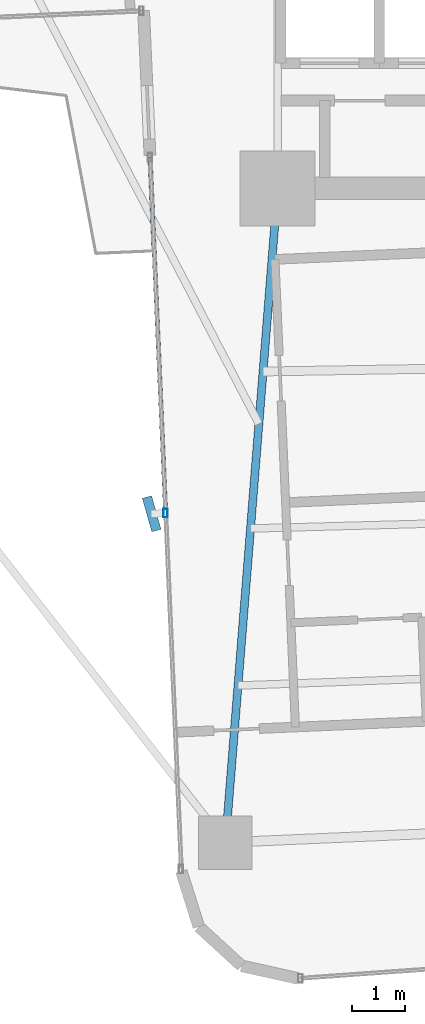
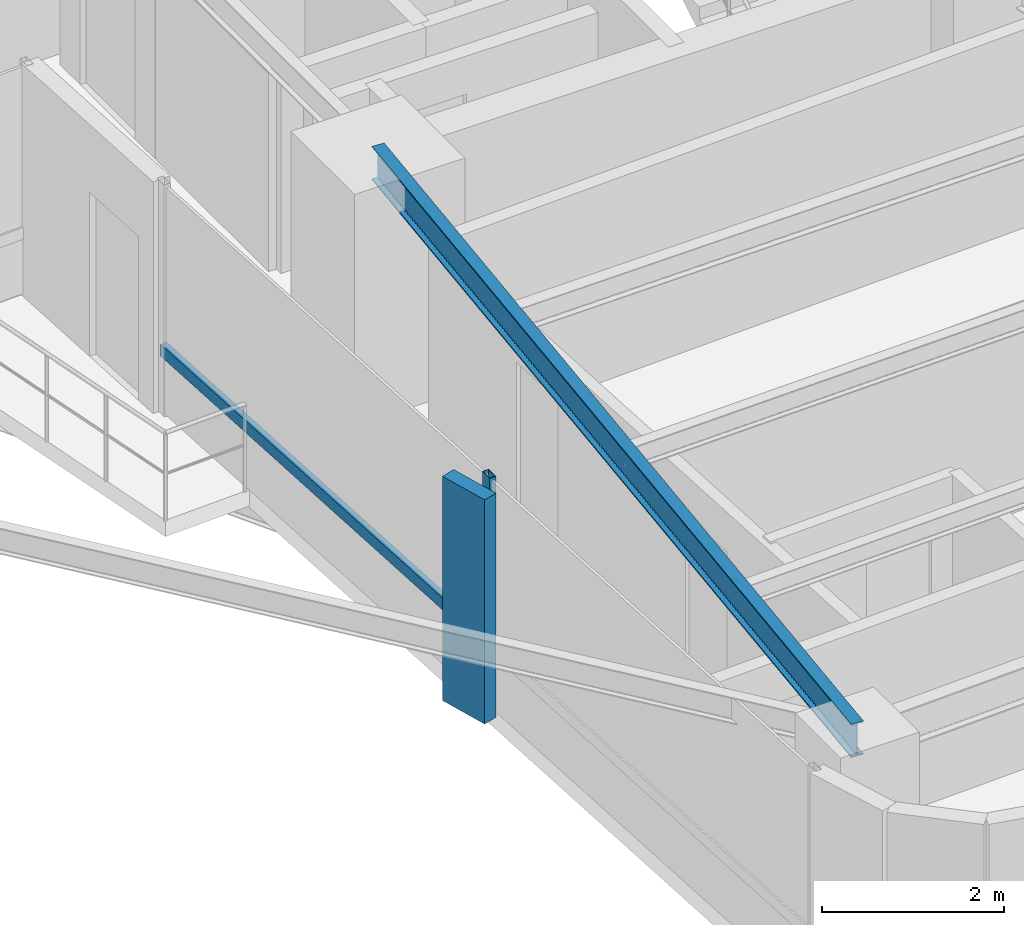
# One storey, part 4 of 26: 3 members, 1 beam, 1 element without a shape of its own.
"""IFC4 building model written with IfcOpenShell, lengths in metres."""

from ifc_helpers import new_model, si_unit, direction, frame, origin, origin_2d, place, context, subcontext, project, spatial, rectangle, hollow_rectangle, i_section, extrude, source, transform, mapped, material, material_profile, profile_set, type_object, element, aggregate, save


model = new_model("IFC4")

# Units and contexts
model_context = context("Model", 3, precision=1e-05, world=origin(), true_north=direction((0.0, 1.0)))
body_context = subcontext(model_context, "Body", "Model", "MODEL_VIEW")
ifc_project = project(units=[si_unit("LENGTHUNIT", "METRE"), si_unit("AREAUNIT", "SQUARE_METRE"), si_unit("VOLUMEUNIT", "CUBIC_METRE"), si_unit("PLANEANGLEUNIT", "RADIAN"), si_unit("MASSUNIT", "GRAM", prefix="KILO")], contexts=[model_context])

# Site, building, storey
site_placement = place(None, origin())
site = spatial("IfcSite", under=ifc_project, at=site_placement, CompositionType="ELEMENT")
building_placement = place(site_placement, origin())
building = spatial("IfcBuilding", under=site, at=building_placement, Name="Sahyath Konkavel Grand Hotel", CompositionType="ELEMENT")
storey_placement = place(building_placement, frame((0.0, 0.0, 86.85009765625)))
storey = spatial("IfcBuildingStorey", under=building, at=storey_placement, Name="L23", CompositionType="ELEMENT", Elevation=86.85009765625)

# Beam
ifc_material_1 = material(Name="Steel E350", Category="steel")
ifc_material_profile_1 = material_profile(ifc_material_1, i_section(OverallWidth=0.14990234375, OverallDepth=0.449951171875, WebThickness=0.009521484375, FlangeThickness=0.017333984375, FilletRadius=0.014892578125, at=origin_2d()), Name="ISMB 450")
ifc_profile_set_1 = profile_set([ifc_material_profile_1], Name="Steel E350")
beam_type = type_object("IfcBeamType", Name="BM-ISMB450", PredefinedType="BEAM", material=ifc_profile_set_1)
shared_shape_1 = source(origin(), body_context, "Body", "SweptSolid", [
    extrude(i_section(OverallWidth=0.14990234375, OverallDepth=0.449951171875, WebThickness=0.009521484375, FlangeThickness=0.017333984375, FilletRadius=0.014892578125, at=origin_2d()), origin(), (0.0, 0.0, 1.0), 12.2685546875),
])
beam_placement = place(storey_placement, frame((-3.800048828125, -10.199951171875, 2.885009765625), z_axis=(-0.079558563357, -0.996830193662, 0.0), x_axis=(0.996830193662, -0.079558563357, 0.0)))
element("IfcBeam", 1, at=beam_placement, inside=storey, type_object=beam_type, Name="L23 Cruciform Radial Girder SA", PredefinedType="BEAM", context=body_context, shape_type="MappedRepresentation", body=[
    mapped(shared_shape_1, transform((0.0, 0.0, 0.0), scale=1.0)),
])

# Curtain wall, members
ifc_material_2 = material(Name="Anodised Bronze Aluminium & Low-E Glazing", Category="aluminium")
curtain_wall_type = type_object("IfcCurtainWallType", Name="CW-ZONE2", PredefinedType="NOTDEFINED", material=ifc_material_2)
curtain_wall_placement = place(storey_placement, origin())
curtain_wall = element("IfcCurtainWall", 2, at=curtain_wall_placement, inside=storey, type_object=curtain_wall_type, Name="L23 Unitised Curtain Wall F24", PredefinedType="NOTDEFINED")
ifc_material_3 = material(Name="Anodised Bronze Aluminium", Category="aluminium")
ifc_material_profile_2 = material_profile(ifc_material_3, hollow_rectangle(XDim=0.080078125, YDim=0.159912109375, WallThickness=0.006103515625, at=origin_2d()), Name="RHS 160x80x6")
ifc_profile_set_2 = profile_set([ifc_material_profile_2], Name="Anodised Bronze Aluminium")
member_type_1 = type_object("IfcMemberType", Name="CW-MUL-160", PredefinedType="MULLION", material=ifc_profile_set_2)
shared_shape_2 = source(origin(), body_context, "Body", "SweptSolid", [
    extrude(hollow_rectangle(XDim=0.080078125, YDim=0.159912109375, WallThickness=0.006103515625, at=origin_2d()), origin(), (0.0, 0.0, 1.0), 3.10986328125),
])
member_1_placement = place(storey_placement, frame((-5.895751953125, -16.272705078125, 0.0), z_axis=(0.0, 0.0, 1.0), x_axis=(1.0, 0.0, 0.0)))
member_1 = element("IfcMember", 3, at=member_1_placement, type_object=member_type_1, Name="L23 Curtain Wall Mullion F24-1", PredefinedType="MULLION", context=body_context, shape_type="MappedRepresentation", body=[
    mapped(shared_shape_2, transform((0.0, 0.0, 0.0), scale=1.0)),
])
ifc_material_4 = material(Name="Warm Buff Sandstone Cladding on Concrete C50/60", Category="masonry")
ifc_material_profile_3 = material_profile(ifc_material_4, rectangle(XDim=0.179931640625, YDim=0.64990234375, at=origin_2d()), Name="FIN 180x650")
ifc_profile_set_3 = profile_set([ifc_material_profile_3], Name="Warm Buff Sandstone Cladding on Concrete C50/60")
member_type_2 = type_object("IfcMemberType", Name="FIN-SANDSTONE-650", PredefinedType="MULLION", material=ifc_profile_set_3)
shared_shape_3 = source(origin(), body_context, "Body", "SweptSolid", [
    extrude(rectangle(XDim=0.179931640625, YDim=0.64990234375, at=origin_2d()), origin(), (0.0, 0.0, 1.0), 3.010009765625),
])
member_2_placement = place(storey_placement, frame((-6.155517578125, -16.283935546875, 0.0498046875), z_axis=(0.0, 0.0, 1.0), x_axis=(0.962360427228, 0.271776393577, 0.0)))
member_2 = element("IfcMember", 4, at=member_2_placement, type_object=member_type_2, Name="L23 Sandstone Vertical Solar Fin FIN F24-1", PredefinedType="MULLION", context=body_context, shape_type="MappedRepresentation", body=[
    mapped(shared_shape_3, transform((0.0, 0.0, 0.0), scale=1.0)),
])
ifc_material_profile_4 = material_profile(ifc_material_3, hollow_rectangle(XDim=0.080078125, YDim=0.159912109375, WallThickness=0.006103515625, at=origin_2d()), Name="RHS 160x80x6")
ifc_profile_set_4 = profile_set([ifc_material_profile_4], Name="Anodised Bronze Aluminium")
member_type_3 = type_object("IfcMemberType", Name="CW-TRN-160", PredefinedType="USERDEFINED", material=ifc_profile_set_4)
shared_shape_4 = source(origin(), body_context, "Body", "SweptSolid", [
    extrude(hollow_rectangle(XDim=0.080078125, YDim=0.159912109375, WallThickness=0.006103515625, at=origin_2d()), origin(), (0.0, 0.0, 1.0), 6.66015625),
])
member_3_placement = place(storey_placement, frame((-6.186279296875, -9.618896484375, 0.849853515625), z_axis=(0.043621753165, -0.999048118286, 0.0), x_axis=(0.999048118286, 0.043621753165, 0.0)))
member_3 = element("IfcMember", 5, at=member_3_placement, type_object=member_type_3, Name="L23 Curtain Wall Transom F24-0-spandrel", ObjectType="TRANSOM", PredefinedType="USERDEFINED", context=body_context, shape_type="MappedRepresentation", body=[
    mapped(shared_shape_4, transform((0.0, 0.0, 0.0), scale=1.0)),
])
aggregate(curtain_wall, [member_1, member_2, member_3])

save(model, "model.ifc")
